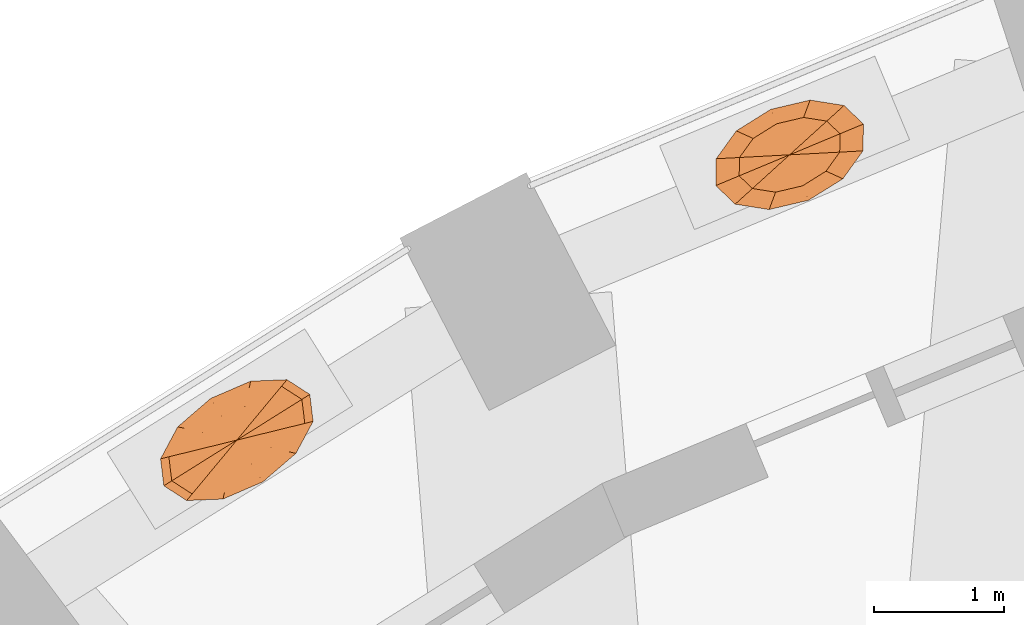
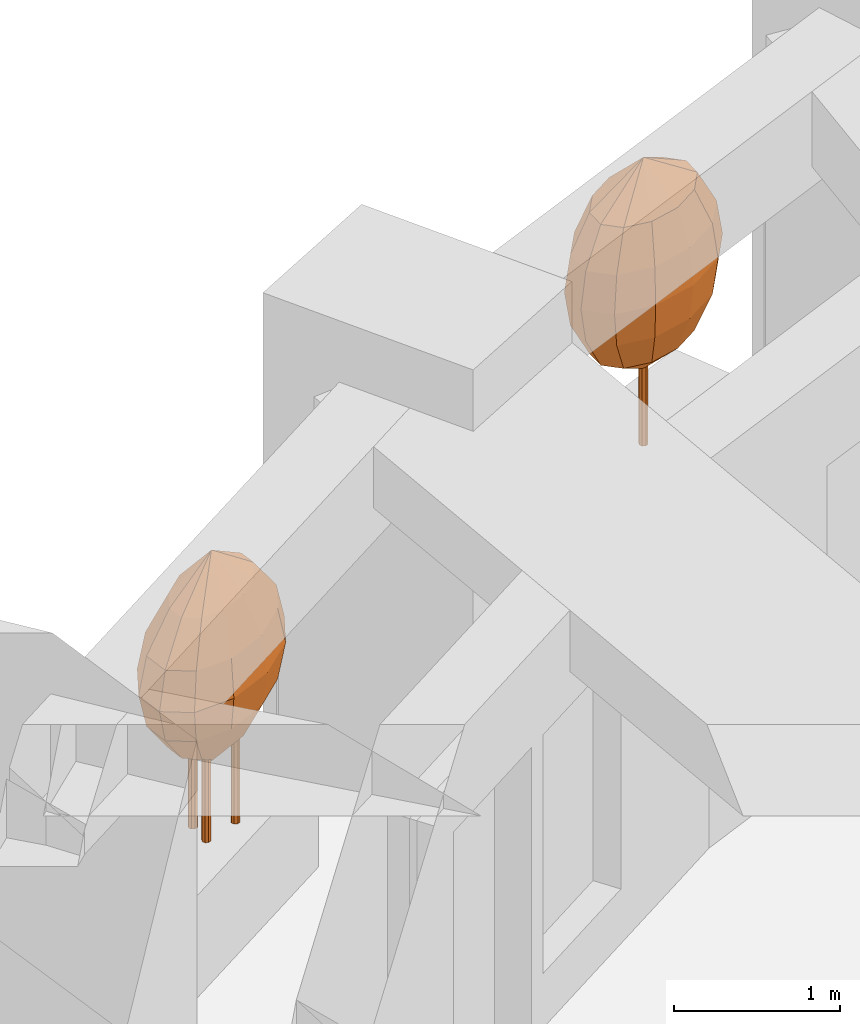
# One storey, part 13 of 13: 2 geographic elements.
"""IFC4 building model written with IfcOpenShell, lengths in metres."""

from ifc_helpers import new_model, si_unit, direction, frame, origin, place, context, subcontext, project, spatial, faceted_brep, material, constituent, constituent_set, type_object, element, save


model = new_model("IFC4")

# Units and contexts
model_context = context("Model", 3, precision=1e-05, world=origin(), true_north=direction((0.0, 1.0)))
body_context = subcontext(model_context, "Body", "Model", "MODEL_VIEW")
ifc_project = project(units=[si_unit("LENGTHUNIT", "METRE"), si_unit("AREAUNIT", "SQUARE_METRE"), si_unit("VOLUMEUNIT", "CUBIC_METRE"), si_unit("PLANEANGLEUNIT", "RADIAN"), si_unit("MASSUNIT", "GRAM", prefix="KILO")], contexts=[model_context])

# Site, building, storey
site_placement = place(None, origin())
site = spatial("IfcSite", under=ifc_project, at=site_placement, CompositionType="ELEMENT")
building_placement = place(site_placement, origin())
building = spatial("IfcBuilding", under=site, at=building_placement, Name="Taillehof Tower", CompositionType="ELEMENT")
storey_placement = place(building_placement, frame((0.0, 0.0, 81.10009765625)))
storey = spatial("IfcBuildingStorey", under=building, at=storey_placement, Name="L22", CompositionType="ELEMENT", Elevation=81.10009765625)

# Geographic elements
ifc_material_1 = material(Name="Tree bark", Category="timber")
ifc_constituent_1 = constituent(ifc_material_1, Name="Trunk", Category="timber")
ifc_material_2 = material(Name="Tree foliage")
ifc_constituent_2 = constituent(ifc_material_2, Name="Crown")
ifc_constituent_set_1 = constituent_set(constituents=[ifc_constituent_1, ifc_constituent_2], Name="Tree TR1 Columnar hornbeam")
geographic_element_type_1 = type_object("IfcGeographicElementType", Name="Tree TR1 Columnar hornbeam", PredefinedType="USERDEFINED", material=ifc_constituent_set_1)
geographic_element_1_placement = place(storey_placement, frame((-11.947509765625, 22.923583984375, 0.75)))
element("IfcGeographicElement", 1, at=geographic_element_1_placement, inside=storey, type_object=geographic_element_type_1, Name="Tree TR1 Columnar hornbeam", ObjectType="TREE", PredefinedType="USERDEFINED", context=body_context, shape_type="Brep", body=[
    faceted_brep([(0.030029296875, 0.0, 0.0), (0.021240234375, 0.021240234375, 0.0), (0.021240234375, 0.021240234375, 1.092529296875), (0.030029296875, 0.0, 1.092529296875), (0.0, 0.030029296875, 0.0), (0.0, 0.030029296875, 1.092529296875), (-0.021240234375, 0.021240234375, 0.0), (-0.021240234375, 0.021240234375, 1.092529296875), (-0.030029296875, 0.0, 0.0), (-0.030029296875, 0.0, 1.092529296875), (-0.021240234375, -0.021240234375, 0.0), (-0.021240234375, -0.021240234375, 1.092529296875), (0.0, -0.030029296875, 0.0), (0.0, -0.030029296875, 1.092529296875), (0.021240234375, -0.021240234375, 0.0), (0.021240234375, -0.021240234375, 1.092529296875)], [[[0, 1, 2, 3]], [[1, 4, 5, 2]], [[4, 6, 7, 5]], [[6, 8, 9, 7]], [[8, 10, 11, 9]], [[10, 12, 13, 11]], [[12, 14, 15, 13]], [[14, 0, 3, 15]], [[14, 12, 10, 8, 6, 4, 1, 0]], [[3, 2, 5, 7, 9, 11, 13, 15]]]),
    faceted_brep([(0.0, 0.0, 0.550048828125), (-0.287109375, -0.26025390625, 0.808349609375), (-0.389404296875, -0.162353515625, 0.808349609375), (-0.108154296875, -0.28857421875, 0.808349609375), (0.099853515625, -0.239501953125, 0.808349609375), (0.28125, -0.126220703125, 0.808349609375), (0.386962890625, 0.020751953125, 0.808349609375), (0.389404296875, 0.162353515625, 0.808349609375), (0.287109375, 0.26025390625, 0.808349609375), (0.108154296875, 0.28857421875, 0.808349609375), (-0.099853515625, 0.239501953125, 0.808349609375), (-0.28125, 0.126220703125, 0.808349609375), (-0.386962890625, -0.020751953125, 0.808349609375), (-0.388427734375, -0.35205078125, 1.066650390625), (-0.526611328125, -0.219482421875, 1.066650390625), (-0.146240234375, -0.390380859375, 1.066650390625), (0.135009765625, -0.323974609375, 1.066650390625), (0.38037109375, -0.1708984375, 1.066650390625), (0.523681640625, 0.028076171875, 1.066650390625), (0.526611328125, 0.219482421875, 1.066650390625), (0.388427734375, 0.35205078125, 1.066650390625), (0.146240234375, 0.390380859375, 1.066650390625), (-0.135009765625, 0.323974609375, 1.066650390625), (-0.38037109375, 0.1708984375, 1.066650390625), (-0.523681640625, -0.028076171875, 1.066650390625), (-0.42041015625, -0.381103515625, 1.324951171875), (-0.570068359375, -0.237548828125, 1.324951171875), (-0.158447265625, -0.422607421875, 1.324951171875), (0.146240234375, -0.350830078125, 1.324951171875), (0.41162109375, -0.18505859375, 1.324951171875), (0.566650390625, 0.0302734375, 1.324951171875), (0.570068359375, 0.237548828125, 1.324951171875), (0.42041015625, 0.381103515625, 1.324951171875), (0.158447265625, 0.422607421875, 1.324951171875), (-0.146240234375, 0.350830078125, 1.324951171875), (-0.41162109375, 0.18505859375, 1.324951171875), (-0.566650390625, -0.0302734375, 1.324951171875), (-0.388427734375, -0.35205078125, 1.583251953125), (-0.526611328125, -0.219482421875, 1.583251953125), (-0.146240234375, -0.390380859375, 1.583251953125), (0.135009765625, -0.323974609375, 1.583251953125), (0.38037109375, -0.1708984375, 1.583251953125), (0.523681640625, 0.028076171875, 1.583251953125), (0.526611328125, 0.219482421875, 1.583251953125), (0.388427734375, 0.35205078125, 1.583251953125), (0.146240234375, 0.390380859375, 1.583251953125), (-0.135009765625, 0.323974609375, 1.583251953125), (-0.38037109375, 0.1708984375, 1.583251953125), (-0.523681640625, -0.028076171875, 1.583251953125), (-0.287109375, -0.26025390625, 1.841552734375), (-0.389404296875, -0.162353515625, 1.841552734375), (-0.108154296875, -0.28857421875, 1.841552734375), (0.099853515625, -0.239501953125, 1.841552734375), (0.28125, -0.126220703125, 1.841552734375), (0.386962890625, 0.020751953125, 1.841552734375), (0.389404296875, 0.162353515625, 1.841552734375), (0.287109375, 0.26025390625, 1.841552734375), (0.108154296875, 0.28857421875, 1.841552734375), (-0.099853515625, 0.239501953125, 1.841552734375), (-0.28125, 0.126220703125, 1.841552734375), (-0.386962890625, -0.020751953125, 1.841552734375), (0.0, 0.0, 2.10009765625)], [[[0, 1, 2]], [[0, 3, 1]], [[0, 4, 3]], [[0, 5, 4]], [[0, 6, 5]], [[0, 7, 6]], [[0, 8, 7]], [[0, 9, 8]], [[0, 10, 9]], [[0, 11, 10]], [[0, 12, 11]], [[0, 2, 12]], [[2, 1, 13, 14]], [[1, 3, 15, 13]], [[3, 4, 16, 15]], [[4, 5, 17, 16]], [[5, 6, 18, 17]], [[6, 7, 19, 18]], [[7, 8, 20, 19]], [[8, 9, 21, 20]], [[9, 10, 22, 21]], [[10, 11, 23, 22]], [[11, 12, 24, 23]], [[12, 2, 14, 24]], [[14, 13, 25, 26]], [[13, 15, 27, 25]], [[15, 16, 28, 27]], [[16, 17, 29, 28]], [[17, 18, 30, 29]], [[18, 19, 31, 30]], [[19, 20, 32, 31]], [[20, 21, 33, 32]], [[21, 22, 34, 33]], [[22, 23, 35, 34]], [[23, 24, 36, 35]], [[24, 14, 26, 36]], [[26, 25, 37, 38]], [[25, 27, 39, 37]], [[27, 28, 40, 39]], [[28, 29, 41, 40]], [[29, 30, 42, 41]], [[30, 31, 43, 42]], [[31, 32, 44, 43]], [[32, 33, 45, 44]], [[33, 34, 46, 45]], [[34, 35, 47, 46]], [[35, 36, 48, 47]], [[36, 26, 38, 48]], [[38, 37, 49, 50]], [[37, 39, 51, 49]], [[39, 40, 52, 51]], [[40, 41, 53, 52]], [[41, 42, 54, 53]], [[42, 43, 55, 54]], [[43, 44, 56, 55]], [[44, 45, 57, 56]], [[45, 46, 58, 57]], [[46, 47, 59, 58]], [[47, 48, 60, 59]], [[48, 38, 50, 60]], [[50, 49, 61]], [[49, 51, 61]], [[51, 52, 61]], [[52, 53, 61]], [[53, 54, 61]], [[54, 55, 61]], [[55, 56, 61]], [[56, 57, 61]], [[57, 58, 61]], [[58, 59, 61]], [[59, 60, 61]], [[60, 50, 61]]]),
])
ifc_material_3 = material(Name="Tree bark", Category="timber")
ifc_constituent_3 = constituent(ifc_material_3, Name="Trunk", Category="timber")
ifc_material_4 = material(Name="Tree foliage")
ifc_constituent_4 = constituent(ifc_material_4, Name="Crown")
ifc_constituent_set_2 = constituent_set(constituents=[ifc_constituent_3, ifc_constituent_4], Name="Tree TR3 Multi-stem serviceberry")
geographic_element_type_2 = type_object("IfcGeographicElementType", Name="Tree TR3 Multi-stem serviceberry", PredefinedType="USERDEFINED", material=ifc_constituent_set_2)
geographic_element_2_placement = place(storey_placement, frame((-16.2158203125, 20.720703125, 0.75)))
element("IfcGeographicElement", 2, at=geographic_element_2_placement, inside=storey, type_object=geographic_element_type_2, Name="Tree TR3 Multi-stem serviceberry", ObjectType="TREE", PredefinedType="USERDEFINED", context=body_context, shape_type="Brep", body=[
    faceted_brep([(0.195068359375, 0.0, 0.0), (0.186767578125, 0.0205078125, 0.0), (0.186767578125, 0.0205078125, 1.04248046875), (0.195068359375, 0.0, 1.04248046875), (0.166259765625, 0.02880859375, 0.0), (0.166259765625, 0.02880859375, 1.04248046875), (0.145751953125, 0.0205078125, 0.0), (0.145751953125, 0.0205078125, 1.04248046875), (0.137451171875, 0.0, 0.0), (0.137451171875, 0.0, 1.04248046875), (0.145751953125, -0.0205078125, 0.0), (0.145751953125, -0.0205078125, 1.04248046875), (0.166259765625, -0.02880859375, 0.0), (0.166259765625, -0.02880859375, 1.04248046875), (0.186767578125, -0.0205078125, 0.0), (0.186767578125, -0.0205078125, 1.04248046875)], [[[0, 1, 2, 3]], [[1, 4, 5, 2]], [[4, 6, 7, 5]], [[6, 8, 9, 7]], [[8, 10, 11, 9]], [[10, 12, 13, 11]], [[12, 14, 15, 13]], [[14, 0, 3, 15]], [[14, 12, 10, 8, 6, 4, 1, 0]], [[3, 2, 5, 7, 9, 11, 13, 15]]]),
    faceted_brep([(-0.05419921875, 0.082275390625, 0.0), (-0.062744140625, 0.102783203125, 0.0), (-0.062744140625, 0.102783203125, 1.04248046875), (-0.05419921875, 0.082275390625, 1.04248046875), (-0.0830078125, 0.111083984375, 0.0), (-0.0830078125, 0.111083984375, 1.04248046875), (-0.103515625, 0.102783203125, 0.0), (-0.103515625, 0.102783203125, 1.04248046875), (-0.112060546875, 0.082275390625, 0.0), (-0.112060546875, 0.082275390625, 1.04248046875), (-0.103515625, 0.061767578125, 0.0), (-0.103515625, 0.061767578125, 1.04248046875), (-0.0830078125, 0.053466796875, 0.0), (-0.0830078125, 0.053466796875, 1.04248046875), (-0.062744140625, 0.061767578125, 0.0), (-0.062744140625, 0.061767578125, 1.04248046875)], [[[0, 1, 2, 3]], [[1, 4, 5, 2]], [[4, 6, 7, 5]], [[6, 8, 9, 7]], [[8, 10, 11, 9]], [[10, 12, 13, 11]], [[12, 14, 15, 13]], [[14, 0, 3, 15]], [[14, 12, 10, 8, 6, 4, 1, 0]], [[3, 2, 5, 7, 9, 11, 13, 15]]]),
    faceted_brep([(-0.05419921875, -0.082275390625, 0.0), (-0.062744140625, -0.061767578125, 0.0), (-0.062744140625, -0.061767578125, 1.04248046875), (-0.05419921875, -0.082275390625, 1.04248046875), (-0.0830078125, -0.053466796875, 0.0), (-0.0830078125, -0.053466796875, 1.04248046875), (-0.103515625, -0.061767578125, 0.0), (-0.103515625, -0.061767578125, 1.04248046875), (-0.112060546875, -0.082275390625, 0.0), (-0.112060546875, -0.082275390625, 1.04248046875), (-0.103515625, -0.102783203125, 0.0), (-0.103515625, -0.102783203125, 1.04248046875), (-0.0830078125, -0.111083984375, 0.0), (-0.0830078125, -0.111083984375, 1.04248046875), (-0.062744140625, -0.102783203125, 0.0), (-0.062744140625, -0.102783203125, 1.04248046875)], [[[0, 1, 2, 3]], [[1, 4, 5, 2]], [[4, 6, 7, 5]], [[6, 8, 9, 7]], [[8, 10, 11, 9]], [[10, 12, 13, 11]], [[12, 14, 15, 13]], [[14, 0, 3, 15]], [[14, 12, 10, 8, 6, 4, 1, 0]], [[3, 2, 5, 7, 9, 11, 13, 15]]]),
    faceted_brep([(0.0, 0.0, 0.5), (-0.222412109375, -0.26806640625, 0.75830078125), (-0.32373046875, -0.20263671875, 0.75830078125), (-0.0615234375, -0.261474609375, 0.75830078125), (0.11572265625, -0.18505859375, 0.75830078125), (0.26220703125, -0.058837890625, 0.75830078125), (0.33837890625, 0.0830078125, 0.75830078125), (0.32373046875, 0.20263671875, 0.75830078125), (0.222412109375, 0.26806640625, 0.75830078125), (0.0615234375, 0.261474609375, 0.75830078125), (-0.11572265625, 0.18505859375, 0.75830078125), (-0.26220703125, 0.058837890625, 0.75830078125), (-0.33837890625, -0.0830078125, 0.75830078125), (-0.34521484375, -0.415771484375, 1.0166015625), (-0.50244140625, -0.314453125, 1.0166015625), (-0.095703125, -0.40576171875, 1.0166015625), (0.1796875, -0.287109375, 1.0166015625), (0.40673828125, -0.09130859375, 1.0166015625), (0.52490234375, 0.12890625, 1.0166015625), (0.50244140625, 0.314453125, 1.0166015625), (0.34521484375, 0.415771484375, 1.0166015625), (0.095703125, 0.40576171875, 1.0166015625), (-0.1796875, 0.287109375, 1.0166015625), (-0.40673828125, 0.09130859375, 1.0166015625), (-0.52490234375, -0.12890625, 1.0166015625), (-0.387451171875, -0.466552734375, 1.27490234375), (-0.563720703125, -0.352783203125, 1.27490234375), (-0.107177734375, -0.455322265625, 1.27490234375), (0.20166015625, -0.322021484375, 1.27490234375), (0.45654296875, -0.1025390625, 1.27490234375), (0.5888671875, 0.14453125, 1.27490234375), (0.563720703125, 0.352783203125, 1.27490234375), (0.387451171875, 0.466552734375, 1.27490234375), (0.107177734375, 0.455322265625, 1.27490234375), (-0.20166015625, 0.322021484375, 1.27490234375), (-0.45654296875, 0.1025390625, 1.27490234375), (-0.5888671875, -0.14453125, 1.27490234375), (-0.34521484375, -0.415771484375, 1.533447265625), (-0.50244140625, -0.314453125, 1.533447265625), (-0.095703125, -0.40576171875, 1.533447265625), (0.1796875, -0.287109375, 1.533447265625), (0.40673828125, -0.09130859375, 1.533447265625), (0.52490234375, 0.12890625, 1.533447265625), (0.50244140625, 0.314453125, 1.533447265625), (0.34521484375, 0.415771484375, 1.533447265625), (0.095703125, 0.40576171875, 1.533447265625), (-0.1796875, 0.287109375, 1.533447265625), (-0.40673828125, 0.09130859375, 1.533447265625), (-0.52490234375, -0.12890625, 1.533447265625), (-0.222412109375, -0.26806640625, 1.791748046875), (-0.32373046875, -0.20263671875, 1.791748046875), (-0.0615234375, -0.261474609375, 1.791748046875), (0.11572265625, -0.18505859375, 1.791748046875), (0.26220703125, -0.058837890625, 1.791748046875), (0.33837890625, 0.0830078125, 1.791748046875), (0.32373046875, 0.20263671875, 1.791748046875), (0.222412109375, 0.26806640625, 1.791748046875), (0.0615234375, 0.261474609375, 1.791748046875), (-0.11572265625, 0.18505859375, 1.791748046875), (-0.26220703125, 0.058837890625, 1.791748046875), (-0.33837890625, -0.0830078125, 1.791748046875), (0.0, 0.0, 2.050048828125)], [[[0, 1, 2]], [[0, 3, 1]], [[0, 4, 3]], [[0, 5, 4]], [[0, 6, 5]], [[0, 7, 6]], [[0, 8, 7]], [[0, 9, 8]], [[0, 10, 9]], [[0, 11, 10]], [[0, 12, 11]], [[0, 2, 12]], [[2, 1, 13, 14]], [[1, 3, 15, 13]], [[3, 4, 16, 15]], [[4, 5, 17, 16]], [[5, 6, 18, 17]], [[6, 7, 19, 18]], [[7, 8, 20, 19]], [[8, 9, 21, 20]], [[9, 10, 22, 21]], [[10, 11, 23, 22]], [[11, 12, 24, 23]], [[12, 2, 14, 24]], [[14, 13, 25, 26]], [[13, 15, 27, 25]], [[15, 16, 28, 27]], [[16, 17, 29, 28]], [[17, 18, 30, 29]], [[18, 19, 31, 30]], [[19, 20, 32, 31]], [[20, 21, 33, 32]], [[21, 22, 34, 33]], [[22, 23, 35, 34]], [[23, 24, 36, 35]], [[24, 14, 26, 36]], [[26, 25, 37, 38]], [[25, 27, 39, 37]], [[27, 28, 40, 39]], [[28, 29, 41, 40]], [[29, 30, 42, 41]], [[30, 31, 43, 42]], [[31, 32, 44, 43]], [[32, 33, 45, 44]], [[33, 34, 46, 45]], [[34, 35, 47, 46]], [[35, 36, 48, 47]], [[36, 26, 38, 48]], [[38, 37, 49, 50]], [[37, 39, 51, 49]], [[39, 40, 52, 51]], [[40, 41, 53, 52]], [[41, 42, 54, 53]], [[42, 43, 55, 54]], [[43, 44, 56, 55]], [[44, 45, 57, 56]], [[45, 46, 58, 57]], [[46, 47, 59, 58]], [[47, 48, 60, 59]], [[48, 38, 50, 60]], [[50, 49, 61]], [[49, 51, 61]], [[51, 52, 61]], [[52, 53, 61]], [[53, 54, 61]], [[54, 55, 61]], [[55, 56, 61]], [[56, 57, 61]], [[57, 58, 61]], [[58, 59, 61]], [[59, 60, 61]], [[60, 50, 61]]]),
])

save(model, "model.ifc")
